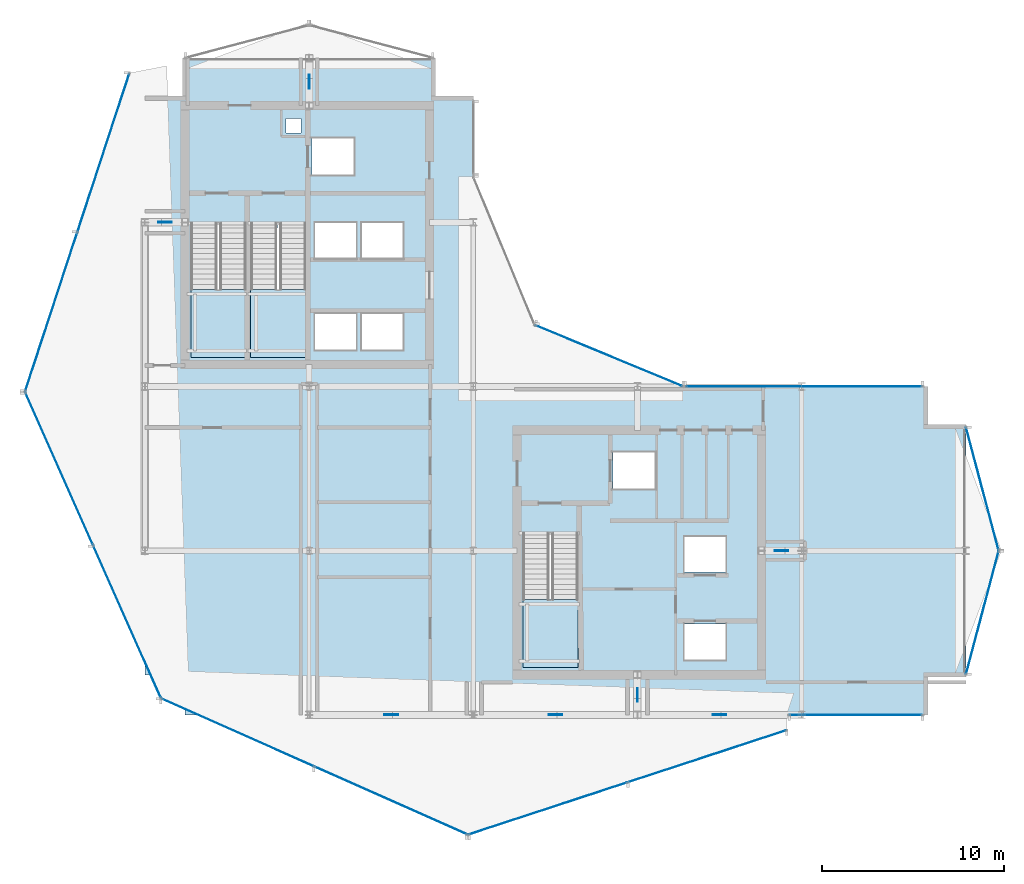
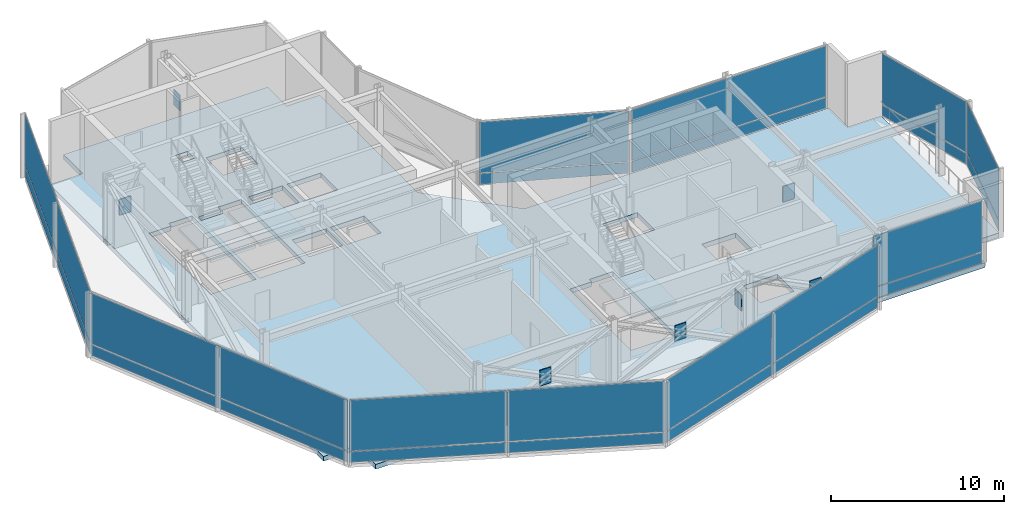
# One storey, part 19 of 30: 33 plates, 4 slabs, 12 elements without a shape of their own.
"""IFC4 building model written with IfcOpenShell, lengths in metres."""

from ifc_helpers import new_model, si_unit, direction, frame, origin, origin_2d, place, context, subcontext, project, spatial, polyline, rectangle, outline, extrude, material, layer, layer_set, type_object, element, aggregate, save


model = new_model("IFC4")

# Units and contexts
model_context = context("Model", 3, precision=1e-05, world=origin(), true_north=direction((0.0, 1.0)))
body_context = subcontext(model_context, "Body", "Model", "MODEL_VIEW")
ifc_project = project(units=[si_unit("LENGTHUNIT", "METRE"), si_unit("AREAUNIT", "SQUARE_METRE"), si_unit("VOLUMEUNIT", "CUBIC_METRE"), si_unit("PLANEANGLEUNIT", "RADIAN"), si_unit("MASSUNIT", "GRAM", prefix="KILO")], contexts=[model_context])

# Site, building, storey
site_placement = place(None, origin())
site = spatial("IfcSite", under=ifc_project, at=site_placement, CompositionType="ELEMENT")
building_placement = place(site_placement, origin())
building = spatial("IfcBuilding", under=site, at=building_placement, Name="Solvaryn Broadcast Tower", CompositionType="ELEMENT")
storey_placement = place(building_placement, frame((0.0, 0.0, 196.39990234375)))
storey = spatial("IfcBuildingStorey", under=building, at=storey_placement, Name="L49", CompositionType="ELEMENT", Elevation=196.39990234375)

# Curtain wall, plates
ifc_material_1 = material(Name="Aluminium and Terracotta Unitised Curtain Wall", Category="masonry")
ifc_layer_1 = layer(ifc_material_1, 0.199951171875)
ifc_layer_set_1 = layer_set([ifc_layer_1], Name="CW-SYS2-LOWMID")
curtain_wall_type = type_object("IfcCurtainWallType", Name="CW-SYS2-LOWMID", PredefinedType="NOTDEFINED", material=ifc_layer_set_1)
curtain_wall_1_placement = place(storey_placement, origin())
curtain_wall_1 = element("IfcCurtainWall", 1, at=curtain_wall_1_placement, inside=storey, type_object=curtain_wall_type, Name="L49 Curtain Wall DR1", PredefinedType="NOTDEFINED")
ifc_material_2 = material(Name="Kiln-Fired Architectural Terracotta Spandrel", Category="masonry")
ifc_layer_2 = layer(ifc_material_2, 0.048095703125)
ifc_layer_set_2 = layer_set([ifc_layer_2], Name="CW-PNL-TERRACOTTA")
plate_type_1 = type_object("IfcPlateType", Name="CW-PNL-TERRACOTTA", PredefinedType="CURTAIN_PANEL", material=ifc_layer_set_2)
plate_1_placement = place(storey_placement, frame((6.725830078125, 39.798828125, 0.06005859375), z_axis=(0.0, 0.0, 1.0), x_axis=(-0.311558717623, -0.950226902099, 0.0)))
plate_1 = element("IfcPlate", 2, at=plate_1_placement, type_object=plate_type_1, Name="CWS2 panel 1.1", PredefinedType="CURTAIN_PANEL", context=body_context, shape_type="SweptSolid", body=[
    extrude(rectangle(XDim=9.105712890625, YDim=0.028076171875, at=origin_2d()), origin(), (0.0, 0.0, 1.0), 0.760009765625),
])
plate_2_placement = place(storey_placement, frame((6.725830078125, 39.798828125, 0.880126953125), z_axis=(0.0, 0.0, 1.0), x_axis=(-0.311558717623, -0.950226902099, 0.0)))
plate_2 = element("IfcPlate", 3, at=plate_2_placement, type_object=plate_type_1, Name="CWS2 panel 1.2", PredefinedType="CURTAIN_PANEL", context=body_context, shape_type="SweptSolid", body=[
    extrude(rectangle(XDim=9.105712890625, YDim=0.028076171875, at=origin_2d()), origin(), (0.0, 0.0, 1.0), 3.580078125),
])
plate_3_placement = place(storey_placement, frame((3.8701171875, 31.08935546875, 0.06005859375), z_axis=(0.0, 0.0, 1.0), x_axis=(-0.311558717623, -0.950226902099, 0.0)))
plate_3 = element("IfcPlate", 4, at=plate_3_placement, type_object=plate_type_1, Name="CWS2 panel 2.1", PredefinedType="CURTAIN_PANEL", context=body_context, shape_type="SweptSolid", body=[
    extrude(rectangle(XDim=9.105712890625, YDim=0.028076171875, at=origin_2d()), origin(), (0.0, 0.0, 1.0), 0.760009765625),
])
plate_4_placement = place(storey_placement, frame((3.8701171875, 31.08935546875, 0.880126953125), z_axis=(0.0, 0.0, 1.0), x_axis=(-0.311558717623, -0.950226902099, 0.0)))
plate_4 = element("IfcPlate", 5, at=plate_4_placement, type_object=plate_type_1, Name="CWS2 panel 2.2", PredefinedType="CURTAIN_PANEL", context=body_context, shape_type="SweptSolid", body=[
    extrude(rectangle(XDim=9.105712890625, YDim=0.028076171875, at=origin_2d()), origin(), (0.0, 0.0, 1.0), 3.580078125),
])
aggregate(curtain_wall_1, [plate_1, plate_2, plate_3, plate_4])

curtain_wall_2_placement = place(storey_placement, origin())
curtain_wall_2 = element("IfcCurtainWall", 6, at=curtain_wall_2_placement, inside=storey, type_object=curtain_wall_type, Name="L49 Curtain Wall DR2", PredefinedType="NOTDEFINED")
plate_5_placement = place(storey_placement, frame((4.305419921875, 22.490234375, 0.06005859375), z_axis=(0.0, 0.0, 1.0), x_axis=(0.405901337237, -0.913916902365, 0.0)))
plate_5 = element("IfcPlate", 7, at=plate_5_placement, type_object=plate_type_1, Name="CWS2 panel 1.1", PredefinedType="CURTAIN_PANEL", context=body_context, shape_type="SweptSolid", body=[
    extrude(rectangle(XDim=9.10546875, YDim=0.028076171875, at=origin_2d()), origin(), (0.0, 0.0, 1.0), 0.760009765625),
])
plate_6_placement = place(storey_placement, frame((4.305419921875, 22.490234375, 0.880126953125), z_axis=(0.0, 0.0, 1.0), x_axis=(0.405901337237, -0.913916902365, 0.0)))
plate_6 = element("IfcPlate", 8, at=plate_6_placement, type_object=plate_type_1, Name="CWS2 panel 1.2", PredefinedType="CURTAIN_PANEL", context=body_context, shape_type="SweptSolid", body=[
    extrude(rectangle(XDim=9.10546875, YDim=0.028076171875, at=origin_2d()), origin(), (0.0, 0.0, 1.0), 3.580078125),
])
plate_7_placement = place(storey_placement, frame((8.025634765625, 14.11376953125, 0.06005859375), z_axis=(0.0, 0.0, 1.0), x_axis=(0.405901337237, -0.913916902365, 0.0)))
plate_7 = element("IfcPlate", 9, at=plate_7_placement, type_object=plate_type_1, Name="CWS2 panel 2.1", PredefinedType="CURTAIN_PANEL", context=body_context, shape_type="SweptSolid", body=[
    extrude(rectangle(XDim=9.10546875, YDim=0.028076171875, at=origin_2d()), origin(), (0.0, 0.0, 1.0), 0.760009765625),
])
plate_8_placement = place(storey_placement, frame((8.025634765625, 14.11376953125, 0.880126953125), z_axis=(0.0, 0.0, 1.0), x_axis=(0.405901337237, -0.913916902365, 0.0)))
plate_8 = element("IfcPlate", 10, at=plate_8_placement, type_object=plate_type_1, Name="CWS2 panel 2.2", PredefinedType="CURTAIN_PANEL", context=body_context, shape_type="SweptSolid", body=[
    extrude(rectangle(XDim=9.10546875, YDim=0.028076171875, at=origin_2d()), origin(), (0.0, 0.0, 1.0), 3.580078125),
])
aggregate(curtain_wall_2, [plate_5, plate_6, plate_7, plate_8])

curtain_wall_3_placement = place(storey_placement, origin())
curtain_wall_3 = element("IfcCurtainWall", 11, at=curtain_wall_3_placement, inside=storey, type_object=curtain_wall_type, Name="L49 Curtain Wall DR3", PredefinedType="NOTDEFINED")
plate_9_placement = place(storey_placement, frame((14.11376953125, 8.025634765625, 0.06005859375), z_axis=(0.0, 0.0, 1.0), x_axis=(0.913916902365, -0.405901337237, 0.0)))
plate_9 = element("IfcPlate", 12, at=plate_9_placement, type_object=plate_type_1, Name="CWS2 panel 1.1", PredefinedType="CURTAIN_PANEL", context=body_context, shape_type="SweptSolid", body=[
    extrude(rectangle(XDim=9.10546875, YDim=0.028076171875, at=origin_2d()), origin(), (0.0, 0.0, 1.0), 0.760009765625),
])
plate_10_placement = place(storey_placement, frame((14.11376953125, 8.025634765625, 0.880126953125), z_axis=(0.0, 0.0, 1.0), x_axis=(0.913916902365, -0.405901337237, 0.0)))
plate_10 = element("IfcPlate", 13, at=plate_10_placement, type_object=plate_type_1, Name="CWS2 panel 1.2", PredefinedType="CURTAIN_PANEL", context=body_context, shape_type="SweptSolid", body=[
    extrude(rectangle(XDim=9.10546875, YDim=0.028076171875, at=origin_2d()), origin(), (0.0, 0.0, 1.0), 3.580078125),
])
plate_11_placement = place(storey_placement, frame((22.490234375, 4.305419921875, 0.06005859375), z_axis=(0.0, 0.0, 1.0), x_axis=(0.913916902365, -0.405901337237, 0.0)))
plate_11 = element("IfcPlate", 14, at=plate_11_placement, type_object=plate_type_1, Name="CWS2 panel 2.1", PredefinedType="CURTAIN_PANEL", context=body_context, shape_type="SweptSolid", body=[
    extrude(rectangle(XDim=9.10546875, YDim=0.028076171875, at=origin_2d()), origin(), (0.0, 0.0, 1.0), 0.760009765625),
])
plate_12_placement = place(storey_placement, frame((22.490234375, 4.305419921875, 0.880126953125), z_axis=(0.0, 0.0, 1.0), x_axis=(0.913916902365, -0.405901337237, 0.0)))
plate_12 = element("IfcPlate", 15, at=plate_12_placement, type_object=plate_type_1, Name="CWS2 panel 2.2", PredefinedType="CURTAIN_PANEL", context=body_context, shape_type="SweptSolid", body=[
    extrude(rectangle(XDim=9.10546875, YDim=0.028076171875, at=origin_2d()), origin(), (0.0, 0.0, 1.0), 3.580078125),
])
aggregate(curtain_wall_3, [plate_9, plate_10, plate_11, plate_12])

curtain_wall_4_placement = place(storey_placement, origin())
curtain_wall_4 = element("IfcCurtainWall", 16, at=curtain_wall_4_placement, inside=storey, type_object=curtain_wall_type, Name="L49 Curtain Wall DR4", PredefinedType="NOTDEFINED")
plate_13_placement = place(storey_placement, frame((31.08935546875, 3.8701171875, 0.06005859375), z_axis=(0.0, 0.0, 1.0), x_axis=(0.950226902099, 0.311558717623, 0.0)))
plate_13 = element("IfcPlate", 17, at=plate_13_placement, type_object=plate_type_1, Name="CWS2 panel 1.1", PredefinedType="CURTAIN_PANEL", context=body_context, shape_type="SweptSolid", body=[
    extrude(rectangle(XDim=9.105712890625, YDim=0.028076171875, at=origin_2d()), origin(), (0.0, 0.0, 1.0), 0.760009765625),
])
plate_14_placement = place(storey_placement, frame((31.08935546875, 3.8701171875, 0.880126953125), z_axis=(0.0, 0.0, 1.0), x_axis=(0.950226902099, 0.311558717623, 0.0)))
plate_14 = element("IfcPlate", 18, at=plate_14_placement, type_object=plate_type_1, Name="CWS2 panel 1.2", PredefinedType="CURTAIN_PANEL", context=body_context, shape_type="SweptSolid", body=[
    extrude(rectangle(XDim=9.105712890625, YDim=0.028076171875, at=origin_2d()), origin(), (0.0, 0.0, 1.0), 3.580078125),
])
plate_15_placement = place(storey_placement, frame((39.798828125, 6.725830078125, 0.06005859375), z_axis=(0.0, 0.0, 1.0), x_axis=(0.950226902099, 0.311558717623, 0.0)))
plate_15 = element("IfcPlate", 19, at=plate_15_placement, type_object=plate_type_1, Name="CWS2 panel 2.1", PredefinedType="CURTAIN_PANEL", context=body_context, shape_type="SweptSolid", body=[
    extrude(rectangle(XDim=9.105712890625, YDim=0.028076171875, at=origin_2d()), origin(), (0.0, 0.0, 1.0), 0.760009765625),
])
plate_16_placement = place(storey_placement, frame((39.798828125, 6.725830078125, 0.880126953125), z_axis=(0.0, 0.0, 1.0), x_axis=(0.950226902099, 0.311558717623, 0.0)))
plate_16 = element("IfcPlate", 20, at=plate_16_placement, type_object=plate_type_1, Name="CWS2 panel 2.2", PredefinedType="CURTAIN_PANEL", context=body_context, shape_type="SweptSolid", body=[
    extrude(rectangle(XDim=9.105712890625, YDim=0.028076171875, at=origin_2d()), origin(), (0.0, 0.0, 1.0), 3.580078125),
])
aggregate(curtain_wall_4, [plate_13, plate_14, plate_15, plate_16])

curtain_wall_5_placement = place(storey_placement, origin())
curtain_wall_5 = element("IfcCurtainWall", 21, at=curtain_wall_5_placement, inside=storey, type_object=curtain_wall_type, Name="L49 Curtain Wall CN1", PredefinedType="NOTDEFINED")
plate_17_placement = place(storey_placement, frame((34.43408203125, 28.68408203125, 0.06005859375), z_axis=(0.0, 0.0, 1.0), x_axis=(-0.923894983957, 0.382646127145, 0.0)))
plate_17 = element("IfcPlate", 22, at=plate_17_placement, type_object=plate_type_1, Name="CWS2 panel 1.1", PredefinedType="CURTAIN_PANEL", context=body_context, shape_type="SweptSolid", body=[
    extrude(rectangle(XDim=8.681884765625, YDim=0.028076171875, at=origin_2d()), origin(), (0.0, 0.0, 1.0), 0.760009765625),
])
plate_18_placement = place(storey_placement, frame((34.43408203125, 28.68408203125, 0.880126953125), z_axis=(0.0, 0.0, 1.0), x_axis=(-0.923894983957, 0.382646127145, 0.0)))
plate_18 = element("IfcPlate", 23, at=plate_18_placement, type_object=plate_type_1, Name="CWS2 panel 1.2", PredefinedType="CURTAIN_PANEL", context=body_context, shape_type="SweptSolid", body=[
    extrude(rectangle(XDim=8.681884765625, YDim=0.028076171875, at=origin_2d()), origin(), (0.0, 0.0, 1.0), 3.580078125),
])
aggregate(curtain_wall_5, [plate_17, plate_18])

curtain_wall_6_placement = place(storey_placement, origin())
curtain_wall_6 = element("IfcCurtainWall", 24, at=curtain_wall_6_placement, inside=storey, type_object=curtain_wall_type, Name="L49 Curtain Wall S2", PredefinedType="NOTDEFINED")
plate_19_placement = place(storey_placement, frame((47.966064453125, 9.0, 0.06005859375), z_axis=(0.0, 0.0, 1.0), x_axis=(1.0, 0.0, 0.0)))
plate_19 = element("IfcPlate", 25, at=plate_19_placement, type_object=plate_type_1, Name="CWS2 panel 1.1", PredefinedType="CURTAIN_PANEL", context=body_context, shape_type="SweptSolid", body=[
    extrude(rectangle(XDim=7.248046875, YDim=0.028076171875, at=origin_2d()), origin(), (0.0, 0.0, 1.0), 0.760009765625),
])
plate_20_placement = place(storey_placement, frame((47.966064453125, 9.0, 0.880126953125), z_axis=(0.0, 0.0, 1.0), x_axis=(1.0, 0.0, 0.0)))
plate_20 = element("IfcPlate", 26, at=plate_20_placement, type_object=plate_type_1, Name="CWS2 panel 1.2", PredefinedType="CURTAIN_PANEL", context=body_context, shape_type="SweptSolid", body=[
    extrude(rectangle(XDim=7.248046875, YDim=0.028076171875, at=origin_2d()), origin(), (0.0, 0.0, 1.0), 3.580078125),
])
aggregate(curtain_wall_6, [plate_19, plate_20])

curtain_wall_7_placement = place(storey_placement, origin())
curtain_wall_7 = element("IfcCurtainWall", 27, at=curtain_wall_7_placement, inside=storey, type_object=curtain_wall_type, Name="L49 Curtain Wall ET1", PredefinedType="NOTDEFINED")
plate_21_placement = place(storey_placement, frame((54.89990234375, 21.39990234375, 0.06005859375), z_axis=(0.0, 0.0, 1.0), x_axis=(0.25589256031, -0.966705227863, 0.0)))
plate_21 = element("IfcPlate", 28, at=plate_21_placement, type_object=plate_type_1, Name="CWS2 panel 1.1", PredefinedType="CURTAIN_PANEL", context=body_context, shape_type="SweptSolid", body=[
    extrude(rectangle(XDim=6.914306640625, YDim=0.028076171875, at=origin_2d()), origin(), (0.0, 0.0, 1.0), 0.760009765625),
])
plate_22_placement = place(storey_placement, frame((54.89990234375, 21.39990234375, 0.880126953125), z_axis=(0.0, 0.0, 1.0), x_axis=(0.25589256031, -0.966705227863, 0.0)))
plate_22 = element("IfcPlate", 29, at=plate_22_placement, type_object=plate_type_1, Name="CWS2 panel 1.2", PredefinedType="CURTAIN_PANEL", context=body_context, shape_type="SweptSolid", body=[
    extrude(rectangle(XDim=6.914306640625, YDim=0.028076171875, at=origin_2d()), origin(), (0.0, 0.0, 1.0), 3.580078125),
])
aggregate(curtain_wall_7, [plate_21, plate_22])

curtain_wall_8_placement = place(storey_placement, origin())
curtain_wall_8 = element("IfcCurtainWall", 30, at=curtain_wall_8_placement, inside=storey, type_object=curtain_wall_type, Name="L49 Curtain Wall ET2", PredefinedType="NOTDEFINED")
plate_23_placement = place(storey_placement, frame((54.89990234375, 14.60009765625, 0.06005859375), z_axis=(0.0, 0.0, 1.0), x_axis=(-0.25589256031, -0.966705227863, 0.0)))
plate_23 = element("IfcPlate", 31, at=plate_23_placement, type_object=plate_type_1, Name="CWS2 panel 1.1", PredefinedType="CURTAIN_PANEL", context=body_context, shape_type="SweptSolid", body=[
    extrude(rectangle(XDim=6.914306640625, YDim=0.028076171875, at=origin_2d()), origin(), (0.0, 0.0, 1.0), 0.760009765625),
])
plate_24_placement = place(storey_placement, frame((54.89990234375, 14.60009765625, 0.880126953125), z_axis=(0.0, 0.0, 1.0), x_axis=(-0.25589256031, -0.966705227863, 0.0)))
plate_24 = element("IfcPlate", 32, at=plate_24_placement, type_object=plate_type_1, Name="CWS2 panel 1.2", PredefinedType="CURTAIN_PANEL", context=body_context, shape_type="SweptSolid", body=[
    extrude(rectangle(XDim=6.914306640625, YDim=0.028076171875, at=origin_2d()), origin(), (0.0, 0.0, 1.0), 3.580078125),
])
aggregate(curtain_wall_8, [plate_23, plate_24])

curtain_wall_9_placement = place(storey_placement, origin())
curtain_wall_9 = element("IfcCurtainWall", 33, at=curtain_wall_9_placement, inside=storey, type_object=curtain_wall_type, Name="L49 Curtain Wall IH", PredefinedType="NOTDEFINED")
plate_25_placement = place(storey_placement, frame((45.125, 27.0, 0.06005859375), z_axis=(0.0, 0.0, 1.0), x_axis=(1.0, 0.0, 0.0)))
plate_25 = element("IfcPlate", 34, at=plate_25_placement, type_object=plate_type_1, Name="CWS2 panel 1.1", PredefinedType="CURTAIN_PANEL", context=body_context, shape_type="SweptSolid", body=[
    extrude(rectangle(XDim=12.929931640625, YDim=0.028076171875, at=origin_2d()), origin(), (0.0, 0.0, 1.0), 0.760009765625),
])
plate_26_placement = place(storey_placement, frame((45.125, 27.0, 0.880126953125), z_axis=(0.0, 0.0, 1.0), x_axis=(1.0, 0.0, 0.0)))
plate_26 = element("IfcPlate", 35, at=plate_26_placement, type_object=plate_type_1, Name="CWS2 panel 1.2", PredefinedType="CURTAIN_PANEL", context=body_context, shape_type="SweptSolid", body=[
    extrude(rectangle(XDim=12.929931640625, YDim=0.028076171875, at=origin_2d()), origin(), (0.0, 0.0, 1.0), 3.580078125),
])
aggregate(curtain_wall_9, [plate_25, plate_26])

# Plates
ifc_material_3 = material(Name="Steel ASTM A572 Grade 50", Category="steel")
ifc_layer_3 = layer(ifc_material_3, 0.050048828125)
ifc_layer_set_3 = layer_set([ifc_layer_3], Name="PL-GUSSET-50")
plate_type_2 = type_object("IfcPlateType", Name="PL-GUSSET-50", PredefinedType="SHEET", material=ifc_layer_set_3)
plate_27_placement = place(storey_placement, frame((10.10009765625, 36.0, 1.7099609375), z_axis=(0.0, 0.0, 1.0), x_axis=(1.0, 0.0, 0.0)))
element("IfcPlate", 36, at=plate_27_placement, inside=storey, type_object=plate_type_2, Name="L49 Outrigger X-Brace W X-Crossing Gusset Node Plate", PredefinedType="SHEET", context=body_context, shape_type="SweptSolid", body=[
    extrude(rectangle(XDim=0.75, YDim=0.050048828125, at=origin_2d()), origin(), (0.0, 0.0, 1.0), 1.10009765625),
])
for number, where, z_axis, x_axis, name in (
    (37, (18.0, 43.699951171875, 1.7099609375), (0.0, 0.0, 1.0), (1.0, 0.0, 0.0), "L49 Outrigger X-Brace N X-Crossing Gusset Node Plate"),
    (38, (36.0, 10.10009765625, 1.7099609375), (0.0, 0.0, 1.0), (1.0, 0.0, 0.0), "L49 Outrigger X-Brace S X-Crossing Gusset Node Plate"),
):
    element("IfcPlate", number, at=place(storey_placement, frame(where, z_axis=z_axis, x_axis=x_axis)), inside=storey, type_object=plate_type_2, Name=name, PredefinedType="SHEET", context=body_context, shape_type="SweptSolid", body=[
        extrude(rectangle(XDim=0.050048828125, YDim=0.75, at=origin_2d()), origin(), (0.0, 0.0, 1.0), 1.10009765625),
    ])
for number, where, z_axis, x_axis, name in (
    (39, (43.89990234375, 18.0, 1.7099609375), (0.0, 0.0, 1.0), (1.0, 0.0, 0.0), "L49 Outrigger X-Brace E X-Crossing Gusset Node Plate"),
    (40, (22.5, 9.0, 1.7099609375), (0.0, 0.0, 1.0), (1.0, 0.0, 0.0), "L49 South Belt X-Brace 3 X-Crossing Gusset Node Plate"),
    (41, (31.5, 9.0, 1.7099609375), (0.0, 0.0, 1.0), (1.0, 0.0, 0.0), "L49 South Belt X-Brace 4 X-Crossing Gusset Node Plate"),
    (42, (40.5, 9.0, 1.7099609375), (0.0, 0.0, 1.0), (1.0, 0.0, 0.0), "L49 South Belt X-Brace 5 X-Crossing Gusset Node Plate"),
):
    element("IfcPlate", number, at=place(storey_placement, frame(where, z_axis=z_axis, x_axis=x_axis)), inside=storey, type_object=plate_type_2, Name=name, PredefinedType="SHEET", context=body_context, shape_type="SweptSolid", body=[
        extrude(rectangle(XDim=0.75, YDim=0.050048828125, at=origin_2d()), origin(), (0.0, 0.0, 1.0), 1.10009765625),
    ])

# Stair, slab
ifc_material_4 = material(Name="Concrete f'c 60 MPa", Category="concrete")
stair_type = type_object("IfcStairType", Name="ST-CORE", PredefinedType="HALF_TURN_STAIR", material=ifc_material_4)
stair_1_placement = place(storey_placement, origin())
stair_1 = element("IfcStair", 43, at=stair_1_placement, inside=storey, type_object=stair_type, Name="L49 ST1", PredefinedType="HALF_TURN_STAIR")
ifc_material_5 = material(Name="Concrete f'c 60 MPa", Category="concrete")
ifc_layer_4 = layer(ifc_material_5, 0.199951171875)
ifc_layer_set_4 = layer_set([ifc_layer_4], Name="SL-LANDING-200")
slab_type_1 = type_object("IfcSlabType", Name="SL-LANDING-200", PredefinedType="LANDING", material=ifc_layer_set_4)
slab_1_placement = place(storey_placement, frame((0.0, 0.0, 2.2001953125)))
slab_1 = element("IfcSlab", 44, at=slab_1_placement, type_object=slab_type_1, Name="ST1 landing 1", PredefinedType="LANDING", context=body_context, shape_type="SweptSolid", body=[
    extrude(outline(polyline([(11.52001953125, 32.320068359375), (11.52001953125, 28.60009765625), (14.550048828125, 28.60009765625), (14.550048828125, 32.320068359375), (11.52001953125, 32.320068359375)])), origin(), (0.0, 0.0, 1.0), 0.199951171875),
])
aggregate(stair_1, [slab_1])

stair_2_placement = place(storey_placement, origin())
stair_2 = element("IfcStair", 45, at=stair_2_placement, inside=storey, type_object=stair_type, Name="L49 ST2", PredefinedType="HALF_TURN_STAIR")
slab_2_placement = place(storey_placement, frame((0.0, 0.0, 2.2001953125)))
slab_2 = element("IfcSlab", 46, at=slab_2_placement, type_object=slab_type_1, Name="ST2 landing 1", PredefinedType="LANDING", context=body_context, shape_type="SweptSolid", body=[
    extrude(outline(polyline([(14.800048828125, 32.320068359375), (14.800048828125, 28.60009765625), (17.830078125, 28.60009765625), (17.830078125, 32.320068359375), (14.800048828125, 32.320068359375)])), origin(), (0.0, 0.0, 1.0), 0.199951171875),
])
aggregate(stair_2, [slab_2])

stair_3_placement = place(storey_placement, origin())
stair_3 = element("IfcStair", 47, at=stair_3_placement, inside=storey, type_object=stair_type, Name="L49 ST3", PredefinedType="HALF_TURN_STAIR")
slab_3_placement = place(storey_placement, frame((0.0, 0.0, 2.2001953125)))
slab_3 = element("IfcSlab", 48, at=slab_3_placement, type_object=slab_type_1, Name="ST3 landing 1", PredefinedType="LANDING", context=body_context, shape_type="SweptSolid", body=[
    extrude(outline(polyline([(29.719970703125, 15.320068359375), (29.719970703125, 11.60009765625), (32.75, 11.60009765625), (32.75, 15.320068359375), (29.719970703125, 15.320068359375)])), origin(), (0.0, 0.0, 1.0), 0.199951171875),
])
aggregate(stair_3, [slab_3])

# Slab
ifc_material_6 = material(Name="Concrete f'c 60 MPa", Category="concrete")
ifc_layer_5 = layer(ifc_material_6, 0.330078125)
ifc_layer_set_5 = layer_set([ifc_layer_5], Name="SL-PLT-330")
slab_type_2 = type_object("IfcSlabType", Name="SL-PLT-330", PredefinedType="FLOOR", material=ifc_layer_set_5)
slab_4_placement = place(storey_placement, frame((0.0, 0.0, -0.329833984375)))
element("IfcSlab", 49, at=slab_4_placement, inside=storey, type_object=slab_type_2, Name="L49 Structural Floor Slab", PredefinedType="FLOOR", context=body_context, shape_type="SweptSolid", body=[
    extrude(outline(polyline([(11.199951171875, 9.0), (51.800048828125, 9.0), (51.800048828125, 11.199951171875), (54.0, 11.199951171875), (54.0, 24.800048828125), (51.800048828125, 24.800048828125), (51.800048828125, 27.0), (31.5, 27.0), (27.0, 31.5), (27.0, 42.800048828125), (24.800048828125, 42.800048828125), (24.800048828125, 45.0), (11.199951171875, 45.0), (11.199951171875, 42.800048828125), (9.0, 42.800048828125), (9.0, 11.199951171875), (11.199951171875, 11.199951171875), (11.199951171875, 9.0)]), holes=[polyline([(11.52001953125, 28.60009765625), (14.550048828125, 28.60009765625), (14.550048828125, 35.9599609375), (12.97998046875, 35.9599609375), (12.97998046875, 35.679931640625), (11.52001953125, 35.679931640625), (11.52001953125, 28.60009765625)]), polyline([(14.800048828125, 28.60009765625), (17.830078125, 28.60009765625), (17.830078125, 35.9599609375), (16.260009765625, 35.9599609375), (16.260009765625, 35.679931640625), (14.800048828125, 35.679931640625), (14.800048828125, 28.60009765625)]), polyline([(29.719970703125, 11.60009765625), (32.75, 11.60009765625), (32.75, 18.9599609375), (31.179931640625, 18.9599609375), (31.179931640625, 18.679931640625), (29.719970703125, 18.679931640625), (29.719970703125, 11.60009765625)]), polyline([(18.14990234375, 38.60009765625), (20.449951171875, 38.60009765625), (20.449951171875, 40.60009765625), (18.14990234375, 40.60009765625), (18.14990234375, 38.60009765625)]), polyline([(18.324951171875, 29.02490234375), (20.574951171875, 29.02490234375), (20.574951171875, 30.97509765625), (18.324951171875, 30.97509765625), (18.324951171875, 29.02490234375)]), polyline([(20.875, 29.02490234375), (23.125, 29.02490234375), (23.125, 30.97509765625), (20.875, 30.97509765625), (20.875, 29.02490234375)]), polyline([(18.324951171875, 34.02490234375), (20.574951171875, 34.02490234375), (20.574951171875, 35.97509765625), (18.324951171875, 35.97509765625), (18.324951171875, 34.02490234375)]), polyline([(20.875, 34.02490234375), (23.125, 34.02490234375), (23.125, 35.97509765625), (20.875, 35.97509765625), (20.875, 34.02490234375)]), polyline([(34.64990234375, 21.39990234375), (36.949951171875, 21.39990234375), (36.949951171875, 23.39990234375), (34.64990234375, 23.39990234375), (34.64990234375, 21.39990234375)]), polyline([(38.574951171875, 12.02490234375), (40.824951171875, 12.02490234375), (40.824951171875, 13.97509765625), (38.574951171875, 13.97509765625), (38.574951171875, 12.02490234375)]), polyline([(38.574951171875, 16.824951171875), (40.824951171875, 16.824951171875), (40.824951171875, 18.77490234375), (38.574951171875, 18.77490234375), (38.574951171875, 16.824951171875)]), polyline([(16.75, 40.89990234375), (17.550048828125, 40.89990234375), (17.550048828125, 41.699951171875), (16.75, 41.699951171875), (16.75, 40.89990234375)])]), origin(), (0.0, 0.0, 1.0), 0.329833984375),
])

save(model, "model.ifc")
